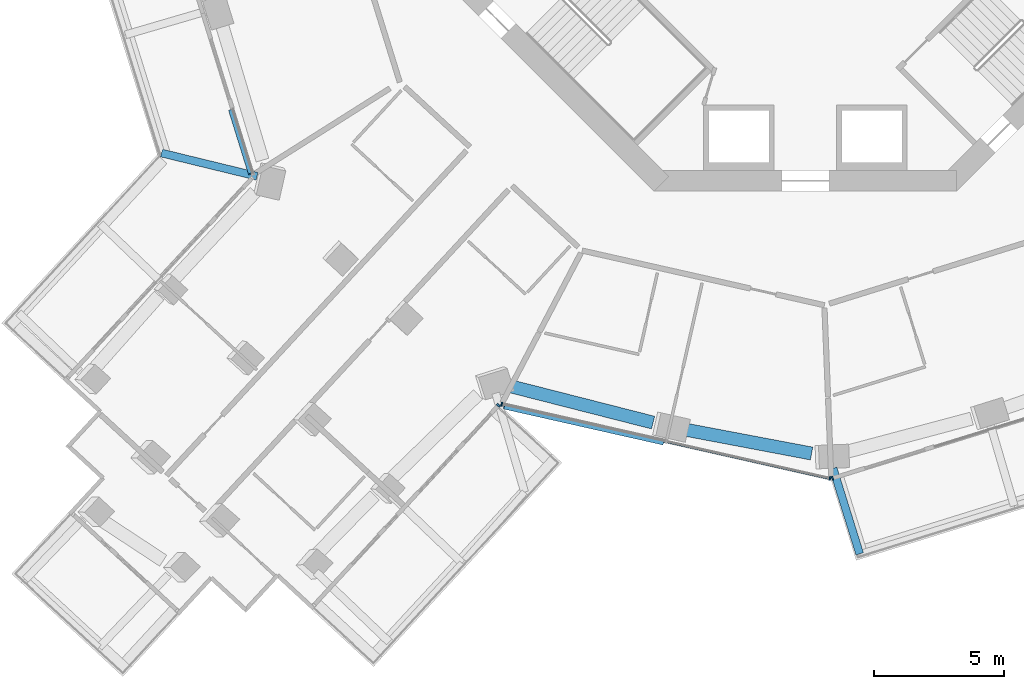
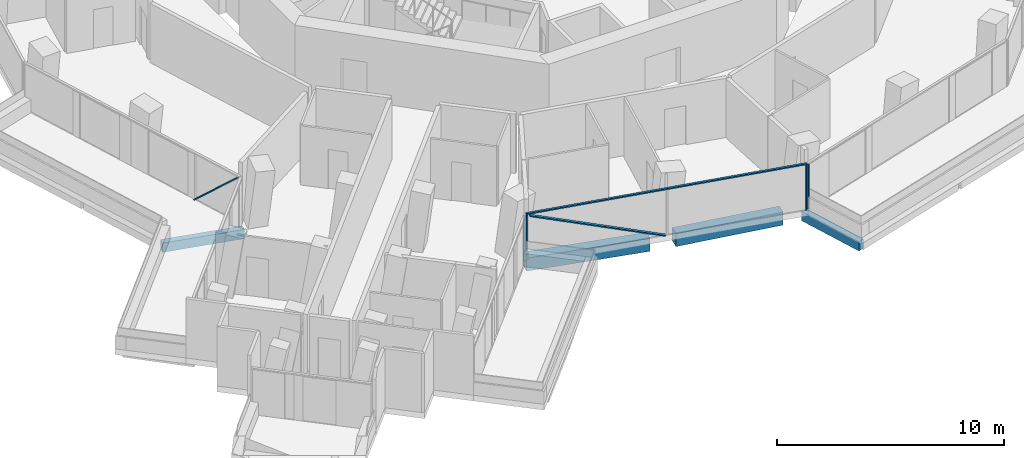
# One storey, part 3 of 25: 7 members, 4 beams, 4 elements without a shape of their own.
"""IFC4 building model written with IfcOpenShell, lengths in metres."""

import ifcopenshell
import ifcopenshell.guid

model = None  # the IFC model being written
_history = None  # IfcOwnerHistory: only IFC2X3 demands one
_inside = {}  # id of a spatial element -> (the spatial element, [elements in it])
_under = {}  # id of a project, library or spatial element -> (it, [spatial elements below it])
_declared = {}  # id of a project -> (the project, [libraries it declares])
_typed = {}  # id of a type object -> (the type object, [elements of that type])
_made_of = {}  # id of a material, layer set ... -> (it, [elements and type objects made of it])


def new_model(schema):
    """Start an empty IFC model of exactly this schema.

    Asked for "IFC4X3", IfcOpenShell would pick the latest addendum, in which some entities
    have other attributes; the version numbers below select the first issue.
    IFC2X3 requires an IfcOwnerHistory on every rooted entity: one is made here for all.
    """
    global model, _history
    if schema == "IFC4X3":
        model = ifcopenshell.file(schema_version=(4, 3, 0, 0))
    else:
        model = ifcopenshell.file(schema=schema)
    _inside.clear()
    _under.clear()
    _declared.clear()
    _typed.clear()
    _made_of.clear()
    _history = None
    if model.schema == "IFC2X3":
        org = make("IfcOrganization", Name="unknown")
        user = make(
            "IfcPersonAndOrganization",
            ThePerson=make("IfcPerson", FamilyName="unknown"),
            TheOrganization=org,
        )
        app = make(
            "IfcApplication",
            ApplicationDeveloper=org,
            Version="unknown",
            ApplicationFullName="unknown",
            ApplicationIdentifier="unknown",
        )
        _history = make(
            "IfcOwnerHistory",
            OwningUser=user,
            OwningApplication=app,
            ChangeAction="ADDED",
            CreationDate=0,
        )
    return model


def make(cls, **values):
    """One entity of the class cls with the attributes given. An attribute that is None is left unset."""
    return model.create_entity(
        cls, **{name: value for name, value in values.items() if value is not None}
    )


def rooted(cls, **values):
    """An entity with a GlobalId (a new one), such as an element, a storey or a relation."""
    return make(cls, GlobalId=ifcopenshell.guid.new(), OwnerHistory=_history, **values)


def si_unit(unit_type, name, prefix=None):
    """IfcSIUnit, for example si_unit("LENGTHUNIT", "METRE", prefix="MILLI")."""
    return make("IfcSIUnit", UnitType=unit_type, Prefix=prefix, Name=name)


def assignment(units):
    """IfcUnitAssignment: the units of a project."""
    return None if units is None else make("IfcUnitAssignment", Units=units)


def point(xyz):
    """IfcCartesianPoint."""
    return None if xyz is None else make("IfcCartesianPoint", Coordinates=xyz)


def direction(xyz):
    """IfcDirection."""
    return None if xyz is None else make("IfcDirection", DirectionRatios=xyz)


def frame(location, z_axis=None, x_axis=None):
    """IfcAxis2Placement3D, a coordinate frame: its origin and axes. An axis left out is left unset."""
    return make(
        "IfcAxis2Placement3D",
        Location=point(location),
        Axis=direction(z_axis),
        RefDirection=direction(x_axis),
    )


def frame_2d(location, x_axis=None):
    """IfcAxis2Placement2D, a coordinate frame in the plane: its origin and x axis."""
    return make(
        "IfcAxis2Placement2D", Location=point(location), RefDirection=direction(x_axis)
    )


def origin():
    """The frame at (0, 0, 0) with its axes left unset."""
    return frame((0.0, 0.0, 0.0))


def origin_2d():
    """The frame at (0, 0) in the plane with its x axis left unset."""
    return frame_2d((0.0, 0.0))


def place(relative_to, where):
    """IfcLocalPlacement: puts the frame where relative to a parent placement (None: the world)."""
    return make(
        "IfcLocalPlacement", PlacementRelTo=relative_to, RelativePlacement=where
    )


def context(
    kind, dimensions, precision=None, world=None, true_north=None, identifier=None
):
    """IfcGeometricRepresentationContext, for example the 3D "Model" context."""
    return make(
        "IfcGeometricRepresentationContext",
        ContextIdentifier=identifier,
        ContextType=kind,
        CoordinateSpaceDimension=dimensions,
        Precision=precision,
        WorldCoordinateSystem=world,
        TrueNorth=true_north,
    )


def subcontext(parent, identifier, kind, view, scale=None):
    """IfcGeometricRepresentationSubContext, for example "Body" below "Model"."""
    return make(
        "IfcGeometricRepresentationSubContext",
        ContextIdentifier=identifier,
        ContextType=kind,
        ParentContext=parent,
        TargetScale=scale,
        TargetView=view,
    )


def project(units=None, contexts=None):
    """IfcProject with its units and contexts."""
    return rooted(
        "IfcProject",
        Name="project",
        RepresentationContexts=contexts,
        UnitsInContext=assignment(units),
    )


def spatial(cls, under=None, at=None, **own):
    """A site, building, storey or space (cls), placed at a placement, below another one or the project."""
    s = rooted(cls, ObjectPlacement=at, **own)
    if under is not None:
        _under.setdefault(under.id(), (under, []))[1].append(s)
    return s


def profile(cls, at=None, kind="AREA", **sizes):
    """A parametric profile (cls). Its sizes go by their IFC names, for example OverallWidth=200.0."""
    return make(cls, ProfileType=kind, Position=at, **sizes)


def rectangle(**sizes):
    """IfcRectangleProfileDef."""
    return profile("IfcRectangleProfileDef", **sizes)


def extrude(swept, where, along, depth):
    """IfcExtrudedAreaSolid: the profile swept, set in the frame where, extruded along a direction by depth."""
    return make(
        "IfcExtrudedAreaSolid",
        SweptArea=swept,
        Position=where,
        ExtrudedDirection=direction(along),
        Depth=depth,
    )


def shape(context_of_items, identifier, shape_type, items):
    """IfcShapeRepresentation: the items that make up one representation, for example the "Body"."""
    return make(
        "IfcShapeRepresentation",
        ContextOfItems=context_of_items,
        RepresentationIdentifier=identifier,
        RepresentationType=shape_type,
        Items=items,
    )


def material(Name=None, Category=None):
    """IfcMaterial."""
    return make("IfcMaterial", Name=Name, Category=Category)


def layer(
    of_material, thickness, ventilated=None, Name=None, Category=None, Priority=None
):
    """IfcMaterialLayer: one layer of a wall or slab, of a material (None: an air gap)."""
    return make(
        "IfcMaterialLayer",
        Material=of_material,
        LayerThickness=thickness,
        IsVentilated=ventilated,
        Name=Name,
        Category=Category,
        Priority=Priority,
    )


def layer_set(layers, Name=None):
    """IfcMaterialLayerSet."""
    return make("IfcMaterialLayerSet", MaterialLayers=layers, LayerSetName=Name)


def material_profile(
    of_material, cross_section, Name=None, Category=None, Priority=None
):
    """IfcMaterialProfile: a cross section and its material."""
    return make(
        "IfcMaterialProfile",
        Name=Name,
        Material=of_material,
        Profile=cross_section,
        Priority=Priority,
        Category=Category,
    )


def profile_set(profiles, Name=None, composite=None):
    """IfcMaterialProfileSet."""
    return make(
        "IfcMaterialProfileSet",
        Name=Name,
        MaterialProfiles=profiles,
        CompositeProfile=composite,
    )


def made_of(thing, what):
    """Note that an element or type object is made of a material, layer set ...; save() writes the relation."""
    if what is not None:
        _made_of.setdefault(what.id(), (what, []))[1].append(thing)
    return thing


def type_object(cls, material=None, **own):
    """A type object (cls), such as IfcWallType, which elements share."""
    return made_of(rooted(cls, **own), material)


def element(
    cls,
    number,
    at=None,
    inside=None,
    cuts=None,
    type_object=None,
    material=None,
    context=None,
    identifier="Body",
    shape_type=None,
    held_by="IfcProductDefinitionShape",
    body=None,
    shapes=None,
    **own,
):
    """One element of the class cls, such as IfcWall. Its Tag is "e" and its number.

    at: its placement. inside: the storey or other place that contains it. cuts: it is an
    opening in that element (IfcRelVoidsElement). A single representation is given by context,
    identifier, shape_type and body (its items); several are given by shapes. held_by: the class
    of the entity that holds the representations. save() writes the other relations.
    """
    e = rooted(cls, Tag="e%d" % number, ObjectPlacement=at, **own)
    if body is not None:
        shapes = [shape(context, identifier, shape_type, body)]
    if shapes is not None:
        e.Representation = make(held_by, Representations=shapes)
    if inside is not None:
        _inside.setdefault(inside.id(), (inside, []))[1].append(e)
    if cuts is not None:
        rooted(
            "IfcRelVoidsElement", RelatingBuildingElement=cuts, RelatedOpeningElement=e
        )
    if type_object is not None:
        _typed.setdefault(type_object.id(), (type_object, []))[1].append(e)
    return made_of(e, material)


def aggregate(whole, parts):
    """IfcRelAggregates: a whole, such as a stair, and the parts it consists of."""
    return rooted("IfcRelAggregates", RelatingObject=whole, RelatedObjects=parts)


def save(model, path):
    """Write the relations noted so far, then the file.

    IfcRelAggregates (storeys below a building ...), IfcRelContainedInSpatialStructure (elements
    in a storey), IfcRelDefinesByType, IfcRelAssociatesMaterial and IfcRelDeclares: one each for
    every whole, place, type object, material and project.
    """
    for whole, parts in _under.values():
        aggregate(whole, parts)
    for where, things in _inside.values():
        rooted(
            "IfcRelContainedInSpatialStructure",
            RelatedElements=things,
            RelatingStructure=where,
        )
    for kind, things in _typed.values():
        rooted("IfcRelDefinesByType", RelatedObjects=things, RelatingType=kind)
    for what, things in _made_of.values():
        rooted("IfcRelAssociatesMaterial", RelatedObjects=things, RelatingMaterial=what)
    for by, libraries in _declared.values():
        rooted("IfcRelDeclares", RelatingContext=by, RelatedDefinitions=libraries)
    model.write(path)


model = new_model("IFC4")

# Units and contexts
model_context = context("Model", 3, precision=1e-05, world=origin(), true_north=direction((0.0, 1.0)))
body_context = subcontext(model_context, "Body", "Model", "MODEL_VIEW")
ifc_project = project(units=[si_unit("LENGTHUNIT", "METRE"), si_unit("AREAUNIT", "SQUARE_METRE"), si_unit("VOLUMEUNIT", "CUBIC_METRE"), si_unit("PLANEANGLEUNIT", "RADIAN"), si_unit("MASSUNIT", "GRAM", prefix="KILO")], contexts=[model_context])

# Site, building, storey
site_placement = place(None, origin())
site = spatial("IfcSite", under=ifc_project, at=site_placement, CompositionType="ELEMENT")
building_placement = place(site_placement, origin())
building = spatial("IfcBuilding", under=site, at=building_placement, Name="Verdalira Terraces Hotel", CompositionType="ELEMENT")
storey_placement = place(building_placement, frame((0.0, 0.0, 103.5)))
storey = spatial("IfcBuildingStorey", under=building, at=storey_placement, Name="L24", CompositionType="ELEMENT", Elevation=103.5)

# Beams
ifc_material_1 = material(Name="Concrete C40", Category="concrete")
ifc_material_profile_1 = material_profile(ifc_material_1, rectangle(XDim=0.300049, YDim=0.5, at=origin_2d()), Name="RC 300X500")
ifc_profile_set_1 = profile_set([ifc_material_profile_1], Name="Concrete C40")
beam_type_1 = type_object("IfcBeamType", Name="Balcony cantilever beam RC 300X500 C40", PredefinedType="BEAM", material=ifc_profile_set_1)
beam_1_placement = place(storey_placement, frame((-21.013916, -13.427734, -0.560059), z_axis=(-0.971628599, 0.236511874, 0.0), x_axis=(-0.236511874, -0.971628599, 0.0)))
element("IfcBeam", 1, at=beam_1_placement, inside=storey, type_object=beam_type_1, Name="Balcony cantilever beam R13-5", PredefinedType="BEAM", context=body_context, shape_type="SweptSolid", body=[
    extrude(rectangle(XDim=0.300049, YDim=0.5, at=origin_2d()), origin(), (0.0, 0.0, 1.0), 3.769775),
])
beam_2_placement = place(storey_placement, frame((1.065674, -24.621582, -0.560059), z_axis=(0.297039164, -0.954865297, 0.0), x_axis=(0.954865297, 0.297039164, 0.0)))
element("IfcBeam", 2, at=beam_2_placement, inside=storey, type_object=beam_type_1, Name="Balcony cantilever beam R26-1", PredefinedType="BEAM", context=body_context, shape_type="SweptSolid", body=[
    extrude(rectangle(XDim=0.300049, YDim=0.5, at=origin_2d()), origin(), (0.0, 0.0, 1.0), 3.431396),
])

# Curtain wall, members
ifc_material_2 = material(Name="Clear glass", Category="glass")
ifc_layer_1 = layer(ifc_material_2, 0.14990234375)
ifc_layer_set_1 = layer_set([ifc_layer_1], Name="CW1 curtain wall")
curtain_wall_type_1 = type_object("IfcCurtainWallType", Name="CW1 curtain wall", PredefinedType="NOTDEFINED", material=ifc_layer_set_1)
curtain_wall_1_placement = place(storey_placement, origin())
curtain_wall_1 = element("IfcCurtainWall", 3, at=curtain_wall_1_placement, inside=storey, type_object=curtain_wall_type_1, Name="CW1 curtain wall L24 edge 25", PredefinedType="NOTDEFINED")
ifc_material_3 = material(Name="Terracotta frame", Category="masonry")
ifc_material_profile_2 = material_profile(ifc_material_3, rectangle(XDim=0.060059, YDim=0.149902, at=origin_2d()), Name="MU 60x150")
ifc_profile_set_2 = profile_set([ifc_material_profile_2], Name="Terracotta frame")
member_type_1 = type_object("IfcMemberType", Name="CW1 mullion 60x150", PredefinedType="MULLION", material=ifc_profile_set_2)
member_1_placement = place(storey_placement, frame((-11.635986, -22.165283, 0.0), z_axis=(0.0, 0.0, 1.0), x_axis=(0.975457744, -0.220186717, 0.0)))
member_1 = element("IfcMember", 4, at=member_1_placement, type_object=member_type_1, Name="CW1 mullion", PredefinedType="MULLION", context=body_context, shape_type="SweptSolid", body=[
    extrude(rectangle(XDim=0.060059, YDim=0.149902, at=origin_2d()), origin(), (0.0, 0.0, 1.0), 2.425049),
])
member_2_placement = place(storey_placement, frame((0.947266, -25.005615, 0.0), z_axis=(0.0, 0.0, 1.0), x_axis=(0.975457744, -0.220186717, 0.0)))
member_2 = element("IfcMember", 5, at=member_2_placement, type_object=member_type_1, Name="CW1 mullion", PredefinedType="MULLION", context=body_context, shape_type="SweptSolid", body=[
    extrude(rectangle(XDim=0.060059, YDim=0.149902, at=origin_2d()), origin(), (0.0, 0.0, 1.0), 2.425049),
])

# Curtain wall, member
curtain_wall_2_placement = place(storey_placement, origin())
curtain_wall_2 = element("IfcCurtainWall", 6, at=curtain_wall_2_placement, inside=storey, type_object=curtain_wall_type_1, Name="CW1 curtain wall L24 edge 26", PredefinedType="NOTDEFINED")
member_3_placement = place(storey_placement, frame((1.043945, -25.001709, 0.0), z_axis=(0.0, 0.0, 1.0), x_axis=(0.954864545, 0.297041582, 0.0)))
member_3 = element("IfcMember", 7, at=member_3_placement, type_object=member_type_1, Name="CW1 mullion", PredefinedType="MULLION", context=body_context, shape_type="SweptSolid", body=[
    extrude(rectangle(XDim=0.060059, YDim=0.149902, at=origin_2d()), origin(), (0.0, 0.0, 1.0), 2.425049),
])
aggregate(curtain_wall_2, [member_3])

# Member
ifc_material_4 = material(Name="Terracotta frame", Category="masonry")
ifc_material_profile_3 = material_profile(ifc_material_4, rectangle(XDim=0.110107, YDim=0.064941, at=origin_2d()), Name="TR 65x110")
ifc_profile_set_3 = profile_set([ifc_material_profile_3], Name="Terracotta frame")
member_type_2 = type_object("IfcMemberType", Name="CW1 transom 65x110", PredefinedType="USERDEFINED", material=ifc_profile_set_3)
member_4_placement = place(storey_placement, frame((-11.665283, -22.158691, 2.45752), z_axis=(0.975458234, -0.220184547, 0.0), x_axis=(0.220184547, 0.975458234, 0.0)))
member_4 = element("IfcMember", 8, at=member_4_placement, type_object=member_type_2, Name="CW1 transom", ObjectType="TRANSOM", PredefinedType="USERDEFINED", context=body_context, shape_type="SweptSolid", body=[
    extrude(rectangle(XDim=0.110107, YDim=0.064941, at=origin_2d()), origin(), (0.0, 0.0, 1.0), 12.959717),
])

# Curtain wall, member
ifc_material_5 = material(Name="Clear glass", Category="glass")
ifc_layer_2 = layer(ifc_material_5, 0.14990234375)
ifc_layer_set_2 = layer_set([ifc_layer_2], Name="CW2 curtain wall")
curtain_wall_type_2 = type_object("IfcCurtainWallType", Name="CW2 curtain wall", PredefinedType="NOTDEFINED", material=ifc_layer_set_2)
curtain_wall_3_placement = place(storey_placement, origin())
curtain_wall_3 = element("IfcCurtainWall", 9, at=curtain_wall_3_placement, inside=storey, type_object=curtain_wall_type_2, Name="CW2 curtain wall L24 edge 24", PredefinedType="NOTDEFINED")
ifc_material_6 = material(Name="Terracotta frame", Category="masonry")
ifc_material_profile_4 = material_profile(ifc_material_6, rectangle(XDim=0.070068, YDim=0.149902, at=origin_2d()), Name="MU 70x150")
ifc_profile_set_4 = profile_set([ifc_material_profile_4], Name="Terracotta frame")
member_type_3 = type_object("IfcMemberType", Name="CW2 mullion 70x150", PredefinedType="MULLION", material=ifc_profile_set_4)
member_5_placement = place(storey_placement, frame((-11.760742, -22.206543, 0.0), z_axis=(0.0, 0.0, 1.0), x_axis=(0.678416162, 0.734677828, 0.0)))
member_5 = element("IfcMember", 10, at=member_5_placement, type_object=member_type_3, Name="CW2 mullion", PredefinedType="MULLION", context=body_context, shape_type="SweptSolid", body=[
    extrude(rectangle(XDim=0.070068, YDim=0.149902, at=origin_2d()), origin(), (0.0, 0.0, 1.0), 2.425049),
])
aggregate(curtain_wall_3, [member_5])

curtain_wall_4_placement = place(storey_placement, origin())
curtain_wall_4 = element("IfcCurtainWall", 11, at=curtain_wall_4_placement, inside=storey, type_object=curtain_wall_type_1, Name="CW1 curtain wall L24 edge 13", PredefinedType="NOTDEFINED")
ifc_material_7 = material(Name="Terracotta frame", Category="masonry")
ifc_material_profile_5 = material_profile(ifc_material_7, rectangle(XDim=0.149902, YDim=0.060059, at=origin_2d()), Name="GB 60x150")
ifc_profile_set_5 = profile_set([ifc_material_profile_5], Name="Terracotta frame")
member_type_4 = type_object("IfcMemberType", Name="Diagonal glazing bar 60x150", PredefinedType="USERDEFINED", material=ifc_profile_set_5)
member_6_placement = place(storey_placement, frame((-22.030029, -10.89624, 0.023438), z_axis=(0.217418774, -0.698846058, 0.681427373), x_axis=(0.954856776, 0.297066553, 0.0)))
member_6 = element("IfcMember", 12, at=member_6_placement, type_object=member_type_4, Name="Diagonal glazing bar", ObjectType="GLAZING BAR", PredefinedType="USERDEFINED", context=body_context, shape_type="SweptSolid", body=[
    extrude(rectangle(XDim=0.149902, YDim=0.060059, at=origin_2d()), origin(), (0.0, 0.0, 1.0), 3.48999),
])
aggregate(curtain_wall_4, [member_6])

# Member
member_7_placement = place(storey_placement, frame((-11.552246, -22.275391, 2.39624), z_axis=(0.912350225, -0.205947473, -0.353839944), x_axis=(0.220192616, 0.975456412, 0.0)))
member_7 = element("IfcMember", 13, at=member_7_placement, type_object=member_type_4, Name="Diagonal glazing bar", ObjectType="GLAZING BAR", PredefinedType="USERDEFINED", context=body_context, shape_type="SweptSolid", body=[
    extrude(rectangle(XDim=0.149902, YDim=0.060059, at=origin_2d()), origin(), (0.0, 0.0, 1.0), 6.690674),
])

aggregate(curtain_wall_1, [member_1, member_2, member_4, member_7])

# Beams
ifc_material_8 = material(Name="Concrete C70", Category="concrete")
ifc_material_profile_6 = material_profile(ifc_material_8, rectangle(XDim=0.5, YDim=0.699951, at=origin_2d()), Name="RC 500X700")
ifc_profile_set_6 = profile_set([ifc_material_profile_6], Name="Concrete C70")
beam_type_2 = type_object("IfcBeamType", Name="Spandrel beam RC 500X700 C70", PredefinedType="SPANDREL", material=ifc_profile_set_6)
beam_3_placement = place(storey_placement, frame((-11.328613, -21.468018, -0.659912), z_axis=(0.969025848, -0.246959322, 0.0), x_axis=(0.246959322, 0.969025848, 0.0)))
element("IfcBeam", 14, at=beam_3_placement, inside=storey, type_object=beam_type_2, Name="Spandrel beam B15", PredefinedType="SPANDREL", context=body_context, shape_type="SweptSolid", body=[
    extrude(rectangle(XDim=0.5, YDim=0.699951, at=origin_2d()), origin(), (0.0, 0.0, 1.0), 5.671631),
])
beam_4_placement = place(storey_placement, frame((-4.683594, -23.122803, -0.659912), z_axis=(0.982590919, -0.18578236, 0.0), x_axis=(0.18578236, 0.982590919, 0.0)))
element("IfcBeam", 15, at=beam_4_placement, inside=storey, type_object=beam_type_2, Name="Spandrel beam B16", PredefinedType="SPANDREL", context=body_context, shape_type="SweptSolid", body=[
    extrude(rectangle(XDim=0.5, YDim=0.699951, at=origin_2d()), origin(), (0.0, 0.0, 1.0), 5.011963),
])

save(model, "model.ifc")
